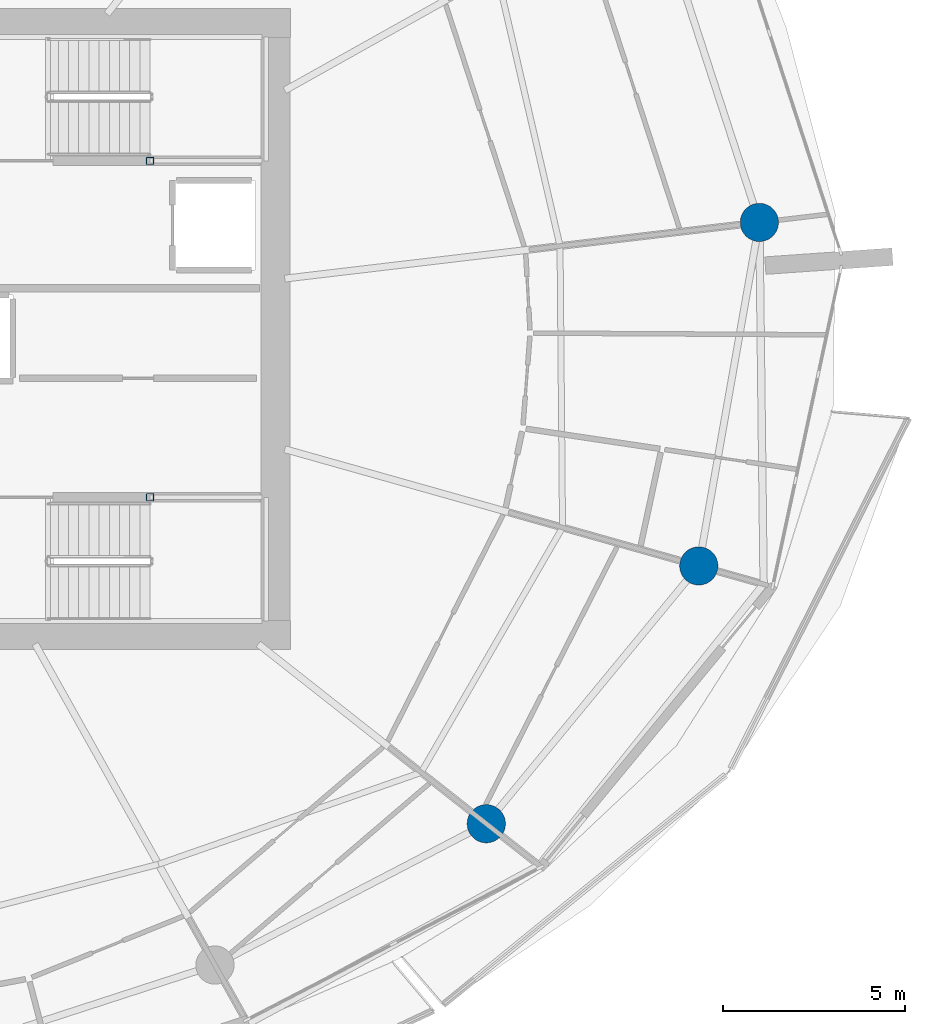
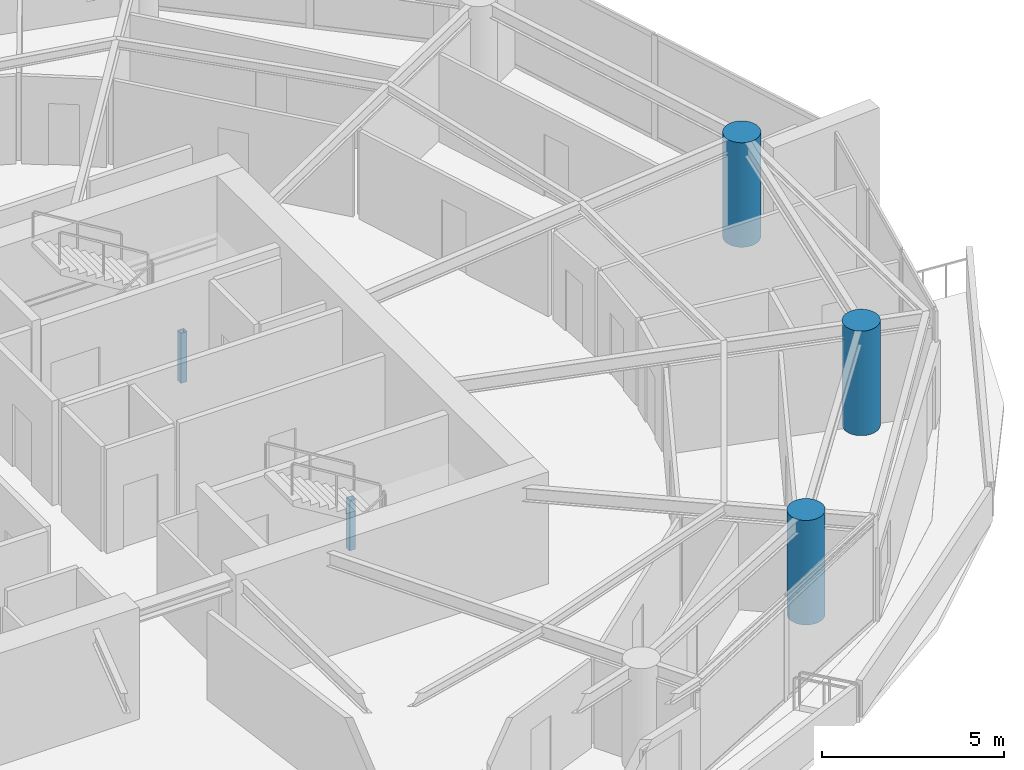
# One storey, part 3 of 20: 5 columns.
"""IFC4 building model written with IfcOpenShell, lengths in metres."""

import ifcopenshell
import ifcopenshell.guid

model = None  # the IFC model being written
_history = None  # IfcOwnerHistory: only IFC2X3 demands one
_inside = {}  # id of a spatial element -> (the spatial element, [elements in it])
_under = {}  # id of a project, library or spatial element -> (it, [spatial elements below it])
_declared = {}  # id of a project -> (the project, [libraries it declares])
_typed = {}  # id of a type object -> (the type object, [elements of that type])
_made_of = {}  # id of a material, layer set ... -> (it, [elements and type objects made of it])


def new_model(schema):
    """Start an empty IFC model of exactly this schema.

    Asked for "IFC4X3", IfcOpenShell would pick the latest addendum, in which some entities
    have other attributes; the version numbers below select the first issue.
    IFC2X3 requires an IfcOwnerHistory on every rooted entity: one is made here for all.
    """
    global model, _history
    if schema == "IFC4X3":
        model = ifcopenshell.file(schema_version=(4, 3, 0, 0))
    else:
        model = ifcopenshell.file(schema=schema)
    _inside.clear()
    _under.clear()
    _declared.clear()
    _typed.clear()
    _made_of.clear()
    _history = None
    if model.schema == "IFC2X3":
        org = make("IfcOrganization", Name="unknown")
        user = make(
            "IfcPersonAndOrganization",
            ThePerson=make("IfcPerson", FamilyName="unknown"),
            TheOrganization=org,
        )
        app = make(
            "IfcApplication",
            ApplicationDeveloper=org,
            Version="unknown",
            ApplicationFullName="unknown",
            ApplicationIdentifier="unknown",
        )
        _history = make(
            "IfcOwnerHistory",
            OwningUser=user,
            OwningApplication=app,
            ChangeAction="ADDED",
            CreationDate=0,
        )
    return model


def make(cls, **values):
    """One entity of the class cls with the attributes given. An attribute that is None is left unset."""
    return model.create_entity(
        cls, **{name: value for name, value in values.items() if value is not None}
    )


def rooted(cls, **values):
    """An entity with a GlobalId (a new one), such as an element, a storey or a relation."""
    return make(cls, GlobalId=ifcopenshell.guid.new(), OwnerHistory=_history, **values)


def si_unit(unit_type, name, prefix=None):
    """IfcSIUnit, for example si_unit("LENGTHUNIT", "METRE", prefix="MILLI")."""
    return make("IfcSIUnit", UnitType=unit_type, Prefix=prefix, Name=name)


def assignment(units):
    """IfcUnitAssignment: the units of a project."""
    return None if units is None else make("IfcUnitAssignment", Units=units)


def point(xyz):
    """IfcCartesianPoint."""
    return None if xyz is None else make("IfcCartesianPoint", Coordinates=xyz)


def direction(xyz):
    """IfcDirection."""
    return None if xyz is None else make("IfcDirection", DirectionRatios=xyz)


def frame(location, z_axis=None, x_axis=None):
    """IfcAxis2Placement3D, a coordinate frame: its origin and axes. An axis left out is left unset."""
    return make(
        "IfcAxis2Placement3D",
        Location=point(location),
        Axis=direction(z_axis),
        RefDirection=direction(x_axis),
    )


def frame_2d(location, x_axis=None):
    """IfcAxis2Placement2D, a coordinate frame in the plane: its origin and x axis."""
    return make(
        "IfcAxis2Placement2D", Location=point(location), RefDirection=direction(x_axis)
    )


def origin():
    """The frame at (0, 0, 0) with its axes left unset."""
    return frame((0.0, 0.0, 0.0))


def origin_2d():
    """The frame at (0, 0) in the plane with its x axis left unset."""
    return frame_2d((0.0, 0.0))


def place(relative_to, where):
    """IfcLocalPlacement: puts the frame where relative to a parent placement (None: the world)."""
    return make(
        "IfcLocalPlacement", PlacementRelTo=relative_to, RelativePlacement=where
    )


def context(
    kind, dimensions, precision=None, world=None, true_north=None, identifier=None
):
    """IfcGeometricRepresentationContext, for example the 3D "Model" context."""
    return make(
        "IfcGeometricRepresentationContext",
        ContextIdentifier=identifier,
        ContextType=kind,
        CoordinateSpaceDimension=dimensions,
        Precision=precision,
        WorldCoordinateSystem=world,
        TrueNorth=true_north,
    )


def subcontext(parent, identifier, kind, view, scale=None):
    """IfcGeometricRepresentationSubContext, for example "Body" below "Model"."""
    return make(
        "IfcGeometricRepresentationSubContext",
        ContextIdentifier=identifier,
        ContextType=kind,
        ParentContext=parent,
        TargetScale=scale,
        TargetView=view,
    )


def project(units=None, contexts=None):
    """IfcProject with its units and contexts."""
    return rooted(
        "IfcProject",
        Name="project",
        RepresentationContexts=contexts,
        UnitsInContext=assignment(units),
    )


def spatial(cls, under=None, at=None, **own):
    """A site, building, storey or space (cls), placed at a placement, below another one or the project."""
    s = rooted(cls, ObjectPlacement=at, **own)
    if under is not None:
        _under.setdefault(under.id(), (under, []))[1].append(s)
    return s


def profile(cls, at=None, kind="AREA", **sizes):
    """A parametric profile (cls). Its sizes go by their IFC names, for example OverallWidth=200.0."""
    return make(cls, ProfileType=kind, Position=at, **sizes)


def hollow_rectangle(**sizes):
    """IfcRectangleHollowProfileDef."""
    return profile("IfcRectangleHollowProfileDef", **sizes)


def circle(**sizes):
    """IfcCircleProfileDef."""
    return profile("IfcCircleProfileDef", **sizes)


def extrude(swept, where, along, depth):
    """IfcExtrudedAreaSolid: the profile swept, set in the frame where, extruded along a direction by depth."""
    return make(
        "IfcExtrudedAreaSolid",
        SweptArea=swept,
        Position=where,
        ExtrudedDirection=direction(along),
        Depth=depth,
    )


def shape(context_of_items, identifier, shape_type, items):
    """IfcShapeRepresentation: the items that make up one representation, for example the "Body"."""
    return make(
        "IfcShapeRepresentation",
        ContextOfItems=context_of_items,
        RepresentationIdentifier=identifier,
        RepresentationType=shape_type,
        Items=items,
    )


def material(Name=None, Category=None):
    """IfcMaterial."""
    return make("IfcMaterial", Name=Name, Category=Category)


def material_profile(
    of_material, cross_section, Name=None, Category=None, Priority=None
):
    """IfcMaterialProfile: a cross section and its material."""
    return make(
        "IfcMaterialProfile",
        Name=Name,
        Material=of_material,
        Profile=cross_section,
        Priority=Priority,
        Category=Category,
    )


def profile_set(profiles, Name=None, composite=None):
    """IfcMaterialProfileSet."""
    return make(
        "IfcMaterialProfileSet",
        Name=Name,
        MaterialProfiles=profiles,
        CompositeProfile=composite,
    )


def made_of(thing, what):
    """Note that an element or type object is made of a material, layer set ...; save() writes the relation."""
    if what is not None:
        _made_of.setdefault(what.id(), (what, []))[1].append(thing)
    return thing


def type_object(cls, material=None, **own):
    """A type object (cls), such as IfcWallType, which elements share."""
    return made_of(rooted(cls, **own), material)


def element(
    cls,
    number,
    at=None,
    inside=None,
    cuts=None,
    type_object=None,
    material=None,
    context=None,
    identifier="Body",
    shape_type=None,
    held_by="IfcProductDefinitionShape",
    body=None,
    shapes=None,
    **own,
):
    """One element of the class cls, such as IfcWall. Its Tag is "e" and its number.

    at: its placement. inside: the storey or other place that contains it. cuts: it is an
    opening in that element (IfcRelVoidsElement). A single representation is given by context,
    identifier, shape_type and body (its items); several are given by shapes. held_by: the class
    of the entity that holds the representations. save() writes the other relations.
    """
    e = rooted(cls, Tag="e%d" % number, ObjectPlacement=at, **own)
    if body is not None:
        shapes = [shape(context, identifier, shape_type, body)]
    if shapes is not None:
        e.Representation = make(held_by, Representations=shapes)
    if inside is not None:
        _inside.setdefault(inside.id(), (inside, []))[1].append(e)
    if cuts is not None:
        rooted(
            "IfcRelVoidsElement", RelatingBuildingElement=cuts, RelatedOpeningElement=e
        )
    if type_object is not None:
        _typed.setdefault(type_object.id(), (type_object, []))[1].append(e)
    return made_of(e, material)


def aggregate(whole, parts):
    """IfcRelAggregates: a whole, such as a stair, and the parts it consists of."""
    return rooted("IfcRelAggregates", RelatingObject=whole, RelatedObjects=parts)


def save(model, path):
    """Write the relations noted so far, then the file.

    IfcRelAggregates (storeys below a building ...), IfcRelContainedInSpatialStructure (elements
    in a storey), IfcRelDefinesByType, IfcRelAssociatesMaterial and IfcRelDeclares: one each for
    every whole, place, type object, material and project.
    """
    for whole, parts in _under.values():
        aggregate(whole, parts)
    for where, things in _inside.values():
        rooted(
            "IfcRelContainedInSpatialStructure",
            RelatedElements=things,
            RelatingStructure=where,
        )
    for kind, things in _typed.values():
        rooted("IfcRelDefinesByType", RelatedObjects=things, RelatingType=kind)
    for what, things in _made_of.values():
        rooted("IfcRelAssociatesMaterial", RelatedObjects=things, RelatingMaterial=what)
    for by, libraries in _declared.values():
        rooted("IfcRelDeclares", RelatingContext=by, RelatedDefinitions=libraries)
    model.write(path)


model = new_model("IFC4")

# Units and contexts
model_context = context("Model", 3, precision=1e-05, world=origin(), true_north=direction((0.0, 1.0)))
body_context = subcontext(model_context, "Body", "Model", "MODEL_VIEW")
ifc_project = project(units=[si_unit("LENGTHUNIT", "METRE"), si_unit("AREAUNIT", "SQUARE_METRE"), si_unit("VOLUMEUNIT", "CUBIC_METRE"), si_unit("PLANEANGLEUNIT", "RADIAN"), si_unit("MASSUNIT", "GRAM", prefix="KILO")], contexts=[model_context])

# Site, building, storey
site_placement = place(None, origin())
site = spatial("IfcSite", under=ifc_project, at=site_placement, CompositionType="ELEMENT")
building_placement = place(site_placement, origin())
building = spatial("IfcBuilding", under=site, at=building_placement, Name="Kazma Halo Residences", CompositionType="ELEMENT")
storey_placement = place(building_placement, frame((0.0, 0.0, 142.800048828125)))
storey = spatial("IfcBuildingStorey", under=building, at=storey_placement, Name="L35", CompositionType="ELEMENT", Elevation=142.800048828125)

# Columns
ifc_material_1 = material(Name="Steel S355", Category="steel")
ifc_material_profile_1 = material_profile(ifc_material_1, hollow_rectangle(XDim=0.199951171875, YDim=0.199951171875, WallThickness=0.010009765625, InnerFilletRadius=0.010009765625, OuterFilletRadius=0.02001953125, at=origin_2d()), Name="SHS200x200x10")
ifc_profile_set_1 = profile_set([ifc_material_profile_1], Name="Steel S355")
column_type_1 = type_object("IfcColumnType", Name="COL-LP-SHS200", PredefinedType="COLUMN", material=ifc_profile_set_1)
for number, where, z_axis, x_axis, name in (
    (1, (56.0, 46.6201171875, 0.0), (0.0, 0.0, 1.0), (1.0, 0.0, 0.0), "L35 ST-02 landing pilaster 1"),
    (2, (56.0, 37.3798828125, 0.0), (0.0, 0.0, 1.0), (1.0, 0.0, 0.0), "L35 ST-03 landing pilaster 1"),
):
    element("IfcColumn", number, at=place(storey_placement, frame(where, z_axis=z_axis, x_axis=x_axis)), inside=storey, type_object=column_type_1, Name=name, PredefinedType="COLUMN", context=body_context, shape_type="SweptSolid", body=[
        extrude(hollow_rectangle(XDim=0.199951171875, YDim=0.199951171875, WallThickness=0.010009765625, InnerFilletRadius=0.010009765625, OuterFilletRadius=0.02001953125, at=origin_2d()), origin(), (0.0, 0.0, 1.0), 1.669921875),
    ])
ifc_material_2 = material(Name="Concrete C80/95", Category="concrete")
ifc_material_profile_2 = material_profile(ifc_material_2, circle(Radius=0.52490234375, at=origin_2d()), Name="CIRC1050")
ifc_profile_set_2 = profile_set([ifc_material_profile_2], Name="Concrete C80/95")
column_type_2 = type_object("IfcColumnType", Name="COL-PERIM-1050", PredefinedType="COLUMN", material=ifc_profile_set_2)
for number, where, z_axis, x_axis, name in (
    (3, (65.234375, 28.41357421875, 0.0), (0.0, 0.0, 1.0), (1.0, 0.0, 0.0), "L35 perimeter ring column P14"),
    (4, (71.06982421875, 35.49365234375, 0.0), (0.0, 0.0, 1.0), (1.0, 0.0, 0.0), "L35 perimeter ring column P15"),
    (5, (72.733154296875, 44.927490234375, 0.0), (0.0, 0.0, 1.0), (1.0, 0.0, 0.0), "L35 perimeter ring column P16"),
):
    element("IfcColumn", number, at=place(storey_placement, frame(where, z_axis=z_axis, x_axis=x_axis)), inside=storey, type_object=column_type_2, Name=name, PredefinedType="COLUMN", context=body_context, shape_type="SweptSolid", body=[
        extrude(circle(Radius=0.52490234375, at=origin_2d()), origin(), (0.0, 0.0, 1.0), 3.5),
    ])

save(model, "model.ifc")
